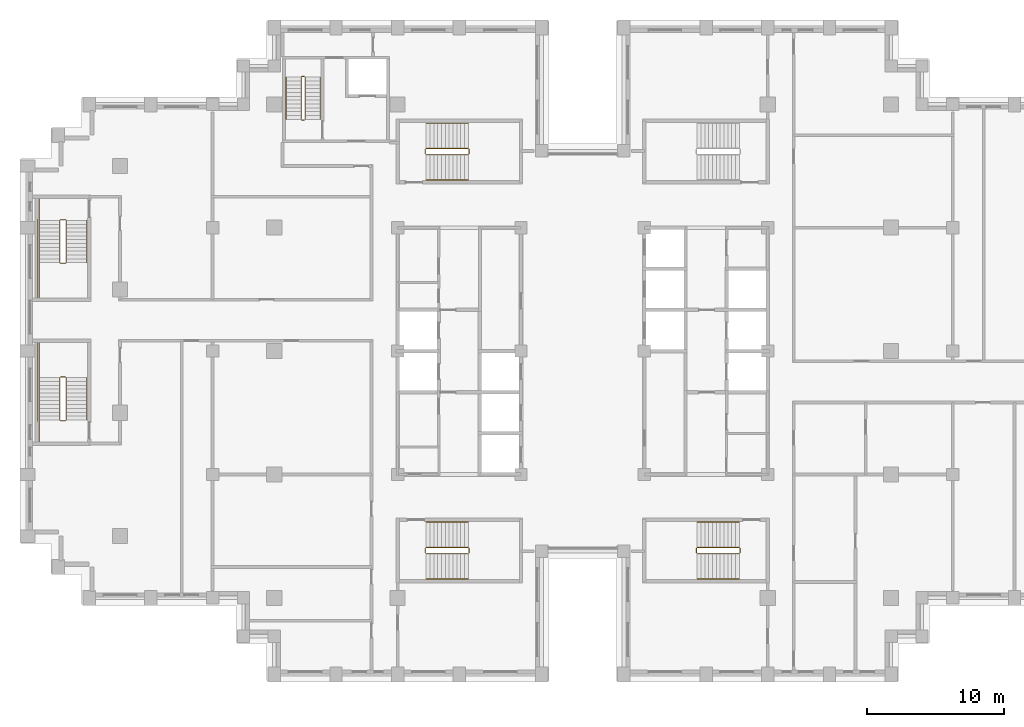
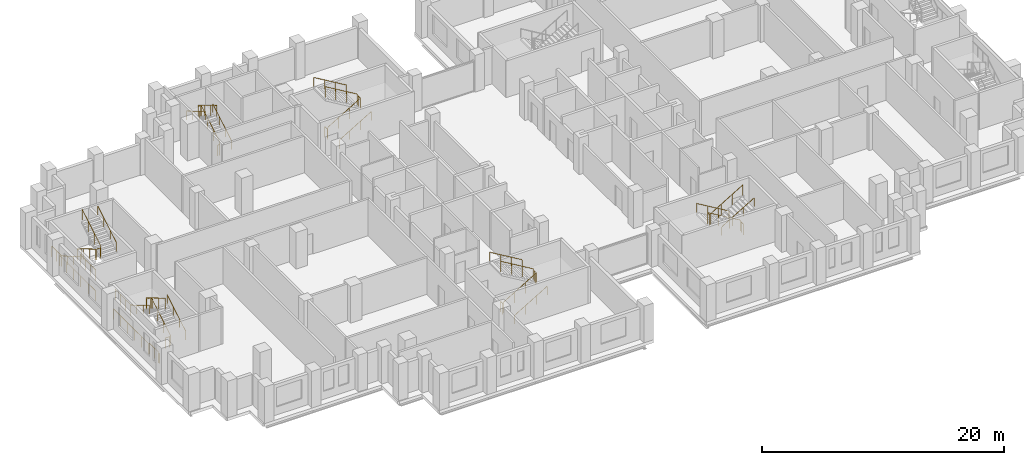
# One storey, part 14 of 15: 6 railings.
"""IFC4 building model written with IfcOpenShell, lengths in metres."""

from ifc_helpers import new_model, si_unit, direction, frame, origin, origin_2d, place, context, subcontext, project, spatial, circle, extrude, material, type_object, element, save


model = new_model("IFC4")

# Units and contexts
model_context = context("Model", 3, precision=1e-05, world=origin(), true_north=direction((0.0, 1.0)))
body_context = subcontext(model_context, "Body", "Model", "MODEL_VIEW")
ifc_project = project(units=[si_unit("LENGTHUNIT", "METRE"), si_unit("AREAUNIT", "SQUARE_METRE"), si_unit("VOLUMEUNIT", "CUBIC_METRE"), si_unit("PLANEANGLEUNIT", "RADIAN"), si_unit("MASSUNIT", "GRAM", prefix="KILO")], contexts=[model_context])

# Site, building, storey
site_placement = place(None, origin())
site = spatial("IfcSite", under=ifc_project, at=site_placement, CompositionType="ELEMENT")
building_placement = place(site_placement, origin())
building = spatial("IfcBuilding", under=site, at=building_placement, Name="Corbelhall Arena Tower", CompositionType="ELEMENT")
storey_placement = place(building_placement, frame((0.0, 0.0, 138.0)))
storey = spatial("IfcBuildingStorey", under=building, at=storey_placement, Name="L26", CompositionType="ELEMENT", Elevation=138.0)

# Railings
ifc_material = material(Name="Steel ASTM A500 Gr C", Category="steel")
railing_type = type_object("IfcRailingType", Name="IN-GD-1100", PredefinedType="GUARDRAIL", material=ifc_material)
railing_1_placement = place(storey_placement, frame((-11.425048828125, 14.324951171875, 0.166748046875)))
element("IfcRailing", 1, at=railing_1_placement, inside=storey, type_object=railing_type, Name="L26 ST1 stair guards and handrails", PredefinedType="GUARDRAIL", context=body_context, shape_type="SweptSolid", body=[
    extrude(circle(Radius=0.02392578125, at=origin_2d()), frame((0.0, 0.0, 1.076171875), z_axis=(0.859308565015, 0.0, 0.511457515432), x_axis=(0.0, 1.0, 0.0)), (0.0, 0.0, 1.0), 3.58447265625),
    extrude(circle(Radius=0.02392578125, at=origin_2d()), frame((3.130126953125, 0.050048828125, 2.9091796875), z_axis=(0.0, 1.0, 0.0), x_axis=(-1.0, 0.0, 0.0)), (0.0, 0.0, 1.0), 0.35009765625),
    extrude(circle(Radius=0.02392578125, at=origin_2d()), frame((3.080078125, 0.449951171875, 3.076171875), z_axis=(-0.859308565015, 0.0, 0.511457515432), x_axis=(0.0, -1.0, 0.0)), (0.0, 0.0, 1.0), 3.58447265625),
    extrude(circle(Radius=0.02392578125, at=origin_2d()), frame((-0.050048828125, 0.050048828125, 0.9091796875), z_axis=(0.0, 1.0, 0.0), x_axis=(-1.0, 0.0, 0.0)), (0.0, 0.0, 1.0), 0.35009765625),
    extrude(circle(Radius=0.02392578125, at=origin_2d()), frame((0.0, -1.849853515625, 0.8759765625), z_axis=(0.859308565015, 0.0, 0.511457515432), x_axis=(0.0, 1.0, 0.0)), (0.0, 0.0, 1.0), 3.58447265625),
    extrude(circle(Radius=0.02392578125, at=origin_2d()), frame((3.080078125, 2.300048828125, 2.8759765625), z_axis=(-0.859308565015, 0.0, 0.511457515432), x_axis=(0.0, -1.0, 0.0)), (0.0, 0.0, 1.0), 3.58447265625),
    extrude(circle(Radius=0.02099609375, at=origin_2d()), origin(), (0.0, 0.0, 1.0), 1.052001953125),
    extrude(circle(Radius=0.02099609375, at=origin_2d()), frame((1.026611328125, 0.0, 0.611083984375)), (0.0, 0.0, 1.0), 1.052001953125),
    extrude(circle(Radius=0.02099609375, at=origin_2d()), frame((2.053466796875, 0.0, 1.22216796875)), (0.0, 0.0, 1.0), 1.052001953125),
    extrude(circle(Radius=0.02099609375, at=origin_2d()), frame((3.080078125, 0.0, 1.833251953125)), (0.0, 0.0, 1.0), 1.052001953125),
    extrude(circle(Radius=0.02099609375, at=origin_2d()), frame((3.130126953125, 0.050048828125, 1.833251953125)), (0.0, 0.0, 1.0), 1.052001953125),
    extrude(circle(Radius=0.02099609375, at=origin_2d()), frame((3.130126953125, 0.400146484375, 1.833251953125)), (0.0, 0.0, 1.0), 1.052001953125),
    extrude(circle(Radius=0.02099609375, at=origin_2d()), frame((3.080078125, 0.449951171875, 2.0)), (0.0, 0.0, 1.0), 1.052001953125),
    extrude(circle(Radius=0.02099609375, at=origin_2d()), frame((2.053466796875, 0.449951171875, 2.611083984375)), (0.0, 0.0, 1.0), 1.052001953125),
    extrude(circle(Radius=0.02099609375, at=origin_2d()), frame((1.026611328125, 0.449951171875, 3.22216796875)), (0.0, 0.0, 1.0), 1.052001953125),
    extrude(circle(Radius=0.02099609375, at=origin_2d()), frame((0.0, 0.449951171875, 3.833251953125)), (0.0, 0.0, 1.0), 1.052001953125),
    extrude(circle(Radius=0.02099609375, at=origin_2d()), frame((-0.050048828125, 0.050048828125, -0.166748046875)), (0.0, 0.0, 1.0), 1.052001953125),
    extrude(circle(Radius=0.02099609375, at=origin_2d()), frame((-0.050048828125, 0.400146484375, -0.166748046875)), (0.0, 0.0, 1.0), 1.052001953125),
    extrude(circle(Radius=0.02099609375, at=origin_2d()), frame((0.0, -1.849853515625, 0.0)), (0.0, 0.0, 1.0), 0.851806640625),
    extrude(circle(Radius=0.02099609375, at=origin_2d()), frame((1.026611328125, -1.849853515625, 0.611083984375)), (0.0, 0.0, 1.0), 0.851806640625),
    extrude(circle(Radius=0.02099609375, at=origin_2d()), frame((2.053466796875, -1.849853515625, 1.22216796875)), (0.0, 0.0, 1.0), 0.851806640625),
    extrude(circle(Radius=0.02099609375, at=origin_2d()), frame((3.080078125, -1.849853515625, 1.833251953125)), (0.0, 0.0, 1.0), 0.851806640625),
    extrude(circle(Radius=0.02099609375, at=origin_2d()), frame((3.080078125, 2.300048828125, 2.0)), (0.0, 0.0, 1.0), 0.851806640625),
    extrude(circle(Radius=0.02099609375, at=origin_2d()), frame((2.053466796875, 2.300048828125, 2.611083984375)), (0.0, 0.0, 1.0), 0.851806640625),
    extrude(circle(Radius=0.02099609375, at=origin_2d()), frame((1.026611328125, 2.300048828125, 3.22216796875)), (0.0, 0.0, 1.0), 0.851806640625),
    extrude(circle(Radius=0.02099609375, at=origin_2d()), frame((0.0, 2.300048828125, 3.833251953125)), (0.0, 0.0, 1.0), 0.851806640625),
])
railing_2_placement = place(storey_placement, frame((-11.425048828125, -14.77490234375, 0.166748046875)))
element("IfcRailing", 2, at=railing_2_placement, inside=storey, type_object=railing_type, Name="L26 ST2 stair guards and handrails", PredefinedType="GUARDRAIL", context=body_context, shape_type="SweptSolid", body=[
    extrude(circle(Radius=0.02392578125, at=origin_2d()), frame((0.0, 0.0, 1.076171875), z_axis=(0.859308565015, 0.0, 0.511457515432), x_axis=(0.0, 1.0, 0.0)), (0.0, 0.0, 1.0), 3.58447265625),
    extrude(circle(Radius=0.02392578125, at=origin_2d()), frame((3.130126953125, 0.0498046875, 2.9091796875), z_axis=(0.0, 1.0, 0.0), x_axis=(-1.0, 0.0, 0.0)), (0.0, 0.0, 1.0), 0.35009765625),
    extrude(circle(Radius=0.02392578125, at=origin_2d()), frame((3.080078125, 0.449951171875, 3.076171875), z_axis=(-0.859308565015, 0.0, 0.511457515432), x_axis=(0.0, -1.0, 0.0)), (0.0, 0.0, 1.0), 3.58447265625),
    extrude(circle(Radius=0.02392578125, at=origin_2d()), frame((-0.050048828125, 0.0498046875, 0.9091796875), z_axis=(0.0, 1.0, 0.0), x_axis=(-1.0, 0.0, 0.0)), (0.0, 0.0, 1.0), 0.35009765625),
    extrude(circle(Radius=0.02392578125, at=origin_2d()), frame((0.0, -1.85009765625, 0.8759765625), z_axis=(0.859308565015, 0.0, 0.511457515432), x_axis=(0.0, 1.0, 0.0)), (0.0, 0.0, 1.0), 3.58447265625),
    extrude(circle(Radius=0.02392578125, at=origin_2d()), frame((3.080078125, 2.2998046875, 2.8759765625), z_axis=(-0.859308565015, 0.0, 0.511457515432), x_axis=(0.0, -1.0, 0.0)), (0.0, 0.0, 1.0), 3.58447265625),
    extrude(circle(Radius=0.02099609375, at=origin_2d()), origin(), (0.0, 0.0, 1.0), 1.052001953125),
    extrude(circle(Radius=0.02099609375, at=origin_2d()), frame((1.026611328125, 0.0, 0.611083984375)), (0.0, 0.0, 1.0), 1.052001953125),
    extrude(circle(Radius=0.02099609375, at=origin_2d()), frame((2.053466796875, 0.0, 1.22216796875)), (0.0, 0.0, 1.0), 1.052001953125),
    extrude(circle(Radius=0.02099609375, at=origin_2d()), frame((3.080078125, 0.0, 1.833251953125)), (0.0, 0.0, 1.0), 1.052001953125),
    extrude(circle(Radius=0.02099609375, at=origin_2d()), frame((3.130126953125, 0.0498046875, 1.833251953125)), (0.0, 0.0, 1.0), 1.052001953125),
    extrude(circle(Radius=0.02099609375, at=origin_2d()), frame((3.130126953125, 0.39990234375, 1.833251953125)), (0.0, 0.0, 1.0), 1.052001953125),
    extrude(circle(Radius=0.02099609375, at=origin_2d()), frame((3.080078125, 0.449951171875, 2.0)), (0.0, 0.0, 1.0), 1.052001953125),
    extrude(circle(Radius=0.02099609375, at=origin_2d()), frame((2.053466796875, 0.449951171875, 2.611083984375)), (0.0, 0.0, 1.0), 1.052001953125),
    extrude(circle(Radius=0.02099609375, at=origin_2d()), frame((1.026611328125, 0.449951171875, 3.22216796875)), (0.0, 0.0, 1.0), 1.052001953125),
    extrude(circle(Radius=0.02099609375, at=origin_2d()), frame((0.0, 0.449951171875, 3.833251953125)), (0.0, 0.0, 1.0), 1.052001953125),
    extrude(circle(Radius=0.02099609375, at=origin_2d()), frame((-0.050048828125, 0.0498046875, -0.166748046875)), (0.0, 0.0, 1.0), 1.052001953125),
    extrude(circle(Radius=0.02099609375, at=origin_2d()), frame((-0.050048828125, 0.39990234375, -0.166748046875)), (0.0, 0.0, 1.0), 1.052001953125),
    extrude(circle(Radius=0.02099609375, at=origin_2d()), frame((0.0, -1.85009765625, 0.0)), (0.0, 0.0, 1.0), 0.851806640625),
    extrude(circle(Radius=0.02099609375, at=origin_2d()), frame((1.026611328125, -1.85009765625, 0.611083984375)), (0.0, 0.0, 1.0), 0.851806640625),
    extrude(circle(Radius=0.02099609375, at=origin_2d()), frame((2.053466796875, -1.85009765625, 1.22216796875)), (0.0, 0.0, 1.0), 0.851806640625),
    extrude(circle(Radius=0.02099609375, at=origin_2d()), frame((3.080078125, -1.85009765625, 1.833251953125)), (0.0, 0.0, 1.0), 0.851806640625),
    extrude(circle(Radius=0.02099609375, at=origin_2d()), frame((3.080078125, 2.2998046875, 2.0)), (0.0, 0.0, 1.0), 0.851806640625),
    extrude(circle(Radius=0.02099609375, at=origin_2d()), frame((2.053466796875, 2.2998046875, 2.611083984375)), (0.0, 0.0, 1.0), 0.851806640625),
    extrude(circle(Radius=0.02099609375, at=origin_2d()), frame((1.026611328125, 2.2998046875, 3.22216796875)), (0.0, 0.0, 1.0), 0.851806640625),
    extrude(circle(Radius=0.02099609375, at=origin_2d()), frame((0.0, 2.2998046875, 3.833251953125)), (0.0, 0.0, 1.0), 0.851806640625),
])
railing_3_placement = place(storey_placement, frame((11.425048828125, -14.324951171875, 0.166748046875)))
element("IfcRailing", 3, at=railing_3_placement, inside=storey, type_object=railing_type, Name="L26 ST4 stair guards and handrails", PredefinedType="GUARDRAIL", context=body_context, shape_type="SweptSolid", body=[
    extrude(circle(Radius=0.02392578125, at=origin_2d()), frame((0.0, 0.0, 1.076171875), z_axis=(-0.859308565015, 0.0, 0.511457515432), x_axis=(0.0, -1.0, 0.0)), (0.0, 0.0, 1.0), 3.58447265625),
    extrude(circle(Radius=0.02392578125, at=origin_2d()), frame((-3.130126953125, -0.050048828125, 2.9091796875), z_axis=(0.0, -1.0, 0.0), x_axis=(1.0, 0.0, 0.0)), (0.0, 0.0, 1.0), 0.35009765625),
    extrude(circle(Radius=0.02392578125, at=origin_2d()), frame((-3.080078125, -0.449951171875, 3.076171875), z_axis=(0.859308565015, 0.0, 0.511457515432), x_axis=(0.0, 1.0, 0.0)), (0.0, 0.0, 1.0), 3.58447265625),
    extrude(circle(Radius=0.02392578125, at=origin_2d()), frame((0.050048828125, -0.050048828125, 0.9091796875), z_axis=(0.0, -1.0, 0.0), x_axis=(1.0, 0.0, 0.0)), (0.0, 0.0, 1.0), 0.35009765625),
    extrude(circle(Radius=0.02392578125, at=origin_2d()), frame((0.0, 1.849853515625, 0.8759765625), z_axis=(-0.859308565015, 0.0, 0.511457515432), x_axis=(0.0, -1.0, 0.0)), (0.0, 0.0, 1.0), 3.58447265625),
    extrude(circle(Radius=0.02392578125, at=origin_2d()), frame((-3.080078125, -2.300048828125, 2.8759765625), z_axis=(0.859308565015, 0.0, 0.511457515432), x_axis=(0.0, 1.0, 0.0)), (0.0, 0.0, 1.0), 3.58447265625),
    extrude(circle(Radius=0.02099609375, at=origin_2d()), origin(), (0.0, 0.0, 1.0), 1.052001953125),
    extrude(circle(Radius=0.02099609375, at=origin_2d()), frame((-1.026611328125, 0.0, 0.611083984375)), (0.0, 0.0, 1.0), 1.052001953125),
    extrude(circle(Radius=0.02099609375, at=origin_2d()), frame((-2.053466796875, 0.0, 1.22216796875)), (0.0, 0.0, 1.0), 1.052001953125),
    extrude(circle(Radius=0.02099609375, at=origin_2d()), frame((-3.080078125, 0.0, 1.833251953125)), (0.0, 0.0, 1.0), 1.052001953125),
    extrude(circle(Radius=0.02099609375, at=origin_2d()), frame((-3.130126953125, -0.050048828125, 1.833251953125)), (0.0, 0.0, 1.0), 1.052001953125),
    extrude(circle(Radius=0.02099609375, at=origin_2d()), frame((-3.130126953125, -0.400146484375, 1.833251953125)), (0.0, 0.0, 1.0), 1.052001953125),
    extrude(circle(Radius=0.02099609375, at=origin_2d()), frame((-3.080078125, -0.449951171875, 2.0)), (0.0, 0.0, 1.0), 1.052001953125),
    extrude(circle(Radius=0.02099609375, at=origin_2d()), frame((-2.053466796875, -0.449951171875, 2.611083984375)), (0.0, 0.0, 1.0), 1.052001953125),
    extrude(circle(Radius=0.02099609375, at=origin_2d()), frame((-1.026611328125, -0.449951171875, 3.22216796875)), (0.0, 0.0, 1.0), 1.052001953125),
    extrude(circle(Radius=0.02099609375, at=origin_2d()), frame((0.0, -0.449951171875, 3.833251953125)), (0.0, 0.0, 1.0), 1.052001953125),
    extrude(circle(Radius=0.02099609375, at=origin_2d()), frame((0.050048828125, -0.050048828125, -0.166748046875)), (0.0, 0.0, 1.0), 1.052001953125),
    extrude(circle(Radius=0.02099609375, at=origin_2d()), frame((0.050048828125, -0.400146484375, -0.166748046875)), (0.0, 0.0, 1.0), 1.052001953125),
    extrude(circle(Radius=0.02099609375, at=origin_2d()), frame((0.0, 1.849853515625, 0.0)), (0.0, 0.0, 1.0), 0.851806640625),
    extrude(circle(Radius=0.02099609375, at=origin_2d()), frame((-1.026611328125, 1.849853515625, 0.611083984375)), (0.0, 0.0, 1.0), 0.851806640625),
    extrude(circle(Radius=0.02099609375, at=origin_2d()), frame((-2.053466796875, 1.849853515625, 1.22216796875)), (0.0, 0.0, 1.0), 0.851806640625),
    extrude(circle(Radius=0.02099609375, at=origin_2d()), frame((-3.080078125, 1.849853515625, 1.833251953125)), (0.0, 0.0, 1.0), 0.851806640625),
    extrude(circle(Radius=0.02099609375, at=origin_2d()), frame((-3.080078125, -2.300048828125, 2.0)), (0.0, 0.0, 1.0), 0.851806640625),
    extrude(circle(Radius=0.02099609375, at=origin_2d()), frame((-2.053466796875, -2.300048828125, 2.611083984375)), (0.0, 0.0, 1.0), 0.851806640625),
    extrude(circle(Radius=0.02099609375, at=origin_2d()), frame((-1.026611328125, -2.300048828125, 3.22216796875)), (0.0, 0.0, 1.0), 0.851806640625),
    extrude(circle(Radius=0.02099609375, at=origin_2d()), frame((0.0, -2.300048828125, 3.833251953125)), (0.0, 0.0, 1.0), 0.851806640625),
])
railing_4_placement = place(storey_placement, frame((-38.14990234375, 9.52490234375, 0.166748046875)))
element("IfcRailing", 4, at=railing_4_placement, inside=storey, type_object=railing_type, Name="L26 SC1 stair guards and handrails", PredefinedType="GUARDRAIL", context=body_context, shape_type="SweptSolid", body=[
    extrude(circle(Radius=0.02392578125, at=origin_2d()), frame((0.0, 0.0, 1.076171875), z_axis=(0.0, -0.859290745958, 0.51148745235), x_axis=(1.0, 0.0, 0.0)), (0.0, 0.0, 1.0), 3.584228515625),
    extrude(circle(Radius=0.02392578125, at=origin_2d()), frame((0.0498046875, -3.1298828125, 2.9091796875), z_axis=(1.0, 0.0, 0.0), x_axis=(0.0, 1.0, 0.0)), (0.0, 0.0, 1.0), 0.375),
    extrude(circle(Radius=0.02392578125, at=origin_2d()), frame((-1.5, -3.079833984375, 2.9091796875), z_axis=(0.0, -1.0, 0.0), x_axis=(1.0, 0.0, 0.0)), (0.0, 0.0, 1.0), 2.570068359375),
    extrude(circle(Radius=0.02392578125, at=origin_2d()), frame((0.474853515625, -3.079833984375, 3.076171875), z_axis=(0.0, 0.859290745958, 0.51148745235), x_axis=(-1.0, 0.0, 0.0)), (0.0, 0.0, 1.0), 3.584228515625),
    extrude(circle(Radius=0.02392578125, at=origin_2d()), frame((0.0498046875, 0.050048828125, 0.9091796875), z_axis=(1.0, 0.0, 0.0), x_axis=(0.0, 1.0, 0.0)), (0.0, 0.0, 1.0), 0.375),
    extrude(circle(Radius=0.02392578125, at=origin_2d()), frame((-1.5, 1.60009765625, 0.9091796875), z_axis=(0.0, -1.0, 0.0), x_axis=(1.0, 0.0, 0.0)), (0.0, 0.0, 1.0), 1.60009765625),
    extrude(circle(Radius=0.02392578125, at=origin_2d()), frame((-1.60009765625, 0.10009765625, 0.9091796875), z_axis=(0.0, -1.0, 0.0), x_axis=(1.0, 0.0, 0.0)), (0.0, 0.0, 1.0), 5.85009765625),
    extrude(circle(Radius=0.02392578125, at=origin_2d()), frame((-1.5, 0.0, 0.8759765625), z_axis=(0.0, -0.859290745958, 0.51148745235), x_axis=(1.0, 0.0, 0.0)), (0.0, 0.0, 1.0), 3.584228515625),
    extrude(circle(Radius=0.02392578125, at=origin_2d()), frame((1.974853515625, -3.079833984375, 2.8759765625), z_axis=(0.0, 0.859290745958, 0.51148745235), x_axis=(-1.0, 0.0, 0.0)), (0.0, 0.0, 1.0), 3.584228515625),
    extrude(circle(Radius=0.02099609375, at=origin_2d()), origin(), (0.0, 0.0, 1.0), 1.052001953125),
    extrude(circle(Radius=0.02099609375, at=origin_2d()), frame((0.0, -1.026611328125, 0.611083984375)), (0.0, 0.0, 1.0), 1.052001953125),
    extrude(circle(Radius=0.02099609375, at=origin_2d()), frame((0.0, -2.05322265625, 1.22216796875)), (0.0, 0.0, 1.0), 1.052001953125),
    extrude(circle(Radius=0.02099609375, at=origin_2d()), frame((0.0, -3.079833984375, 1.833251953125)), (0.0, 0.0, 1.0), 1.052001953125),
    extrude(circle(Radius=0.02099609375, at=origin_2d()), frame((0.0498046875, -3.1298828125, 1.833251953125)), (0.0, 0.0, 1.0), 1.052001953125),
    extrude(circle(Radius=0.02099609375, at=origin_2d()), frame((0.4248046875, -3.1298828125, 1.833251953125)), (0.0, 0.0, 1.0), 1.052001953125),
    extrude(circle(Radius=0.02099609375, at=origin_2d()), frame((-1.5, -3.079833984375, 1.833251953125)), (0.0, 0.0, 1.0), 1.052001953125),
    extrude(circle(Radius=0.02099609375, at=origin_2d()), frame((-1.5, -3.9365234375, 1.833251953125)), (0.0, 0.0, 1.0), 1.052001953125),
    extrude(circle(Radius=0.02099609375, at=origin_2d()), frame((-1.5, -4.793212890625, 1.833251953125)), (0.0, 0.0, 1.0), 1.052001953125),
    extrude(circle(Radius=0.02099609375, at=origin_2d()), frame((-1.5, -5.64990234375, 1.833251953125)), (0.0, 0.0, 1.0), 1.052001953125),
    extrude(circle(Radius=0.02099609375, at=origin_2d()), frame((0.474853515625, -3.079833984375, 2.0)), (0.0, 0.0, 1.0), 1.052001953125),
    extrude(circle(Radius=0.02099609375, at=origin_2d()), frame((0.474853515625, -2.05322265625, 2.611083984375)), (0.0, 0.0, 1.0), 1.052001953125),
    extrude(circle(Radius=0.02099609375, at=origin_2d()), frame((0.474853515625, -1.026611328125, 3.22216796875)), (0.0, 0.0, 1.0), 1.052001953125),
    extrude(circle(Radius=0.02099609375, at=origin_2d()), frame((0.474853515625, 0.0, 3.833251953125)), (0.0, 0.0, 1.0), 1.052001953125),
    extrude(circle(Radius=0.02099609375, at=origin_2d()), frame((0.0498046875, 0.050048828125, -0.166748046875)), (0.0, 0.0, 1.0), 1.052001953125),
    extrude(circle(Radius=0.02099609375, at=origin_2d()), frame((0.4248046875, 0.050048828125, -0.166748046875)), (0.0, 0.0, 1.0), 1.052001953125),
    extrude(circle(Radius=0.02099609375, at=origin_2d()), frame((-1.5, 1.60009765625, -0.166748046875)), (0.0, 0.0, 1.0), 1.052001953125),
    extrude(circle(Radius=0.02099609375, at=origin_2d()), frame((-1.5, 0.800048828125, -0.166748046875)), (0.0, 0.0, 1.0), 1.052001953125),
    extrude(circle(Radius=0.02099609375, at=origin_2d()), frame((-1.5, 0.0, -0.166748046875)), (0.0, 0.0, 1.0), 1.052001953125),
    extrude(circle(Radius=0.02099609375, at=origin_2d()), frame((-1.60009765625, 0.10009765625, -0.166748046875)), (0.0, 0.0, 1.0), 1.052001953125),
    extrude(circle(Radius=0.02099609375, at=origin_2d()), frame((-1.60009765625, -1.06982421875, -0.166748046875)), (0.0, 0.0, 1.0), 1.052001953125),
    extrude(circle(Radius=0.02099609375, at=origin_2d()), frame((-1.60009765625, -2.239990234375, -0.166748046875)), (0.0, 0.0, 1.0), 1.052001953125),
    extrude(circle(Radius=0.02099609375, at=origin_2d()), frame((-1.60009765625, -3.409912109375, -0.166748046875)), (0.0, 0.0, 1.0), 1.052001953125),
    extrude(circle(Radius=0.02099609375, at=origin_2d()), frame((-1.60009765625, -4.580078125, -0.166748046875)), (0.0, 0.0, 1.0), 1.052001953125),
    extrude(circle(Radius=0.02099609375, at=origin_2d()), frame((-1.60009765625, -5.75, -0.166748046875)), (0.0, 0.0, 1.0), 1.052001953125),
    extrude(circle(Radius=0.02099609375, at=origin_2d()), frame((-1.5, 0.0, 0.0)), (0.0, 0.0, 1.0), 0.851806640625),
    extrude(circle(Radius=0.02099609375, at=origin_2d()), frame((-1.5, -1.026611328125, 0.611083984375)), (0.0, 0.0, 1.0), 0.851806640625),
    extrude(circle(Radius=0.02099609375, at=origin_2d()), frame((-1.5, -2.05322265625, 1.22216796875)), (0.0, 0.0, 1.0), 0.851806640625),
    extrude(circle(Radius=0.02099609375, at=origin_2d()), frame((1.974853515625, -3.079833984375, 2.0)), (0.0, 0.0, 1.0), 0.851806640625),
    extrude(circle(Radius=0.02099609375, at=origin_2d()), frame((1.974853515625, -2.05322265625, 2.611083984375)), (0.0, 0.0, 1.0), 0.851806640625),
    extrude(circle(Radius=0.02099609375, at=origin_2d()), frame((1.974853515625, -1.026611328125, 3.22216796875)), (0.0, 0.0, 1.0), 0.851806640625),
    extrude(circle(Radius=0.02099609375, at=origin_2d()), frame((1.974853515625, 0.0, 3.833251953125)), (0.0, 0.0, 1.0), 0.851806640625),
])
railing_5_placement = place(storey_placement, frame((-37.675048828125, -5.02490234375, 0.166748046875)))
element("IfcRailing", 5, at=railing_5_placement, inside=storey, type_object=railing_type, Name="L26 SC2 stair guards and handrails", PredefinedType="GUARDRAIL", context=body_context, shape_type="SweptSolid", body=[
    extrude(circle(Radius=0.02392578125, at=origin_2d()), frame((0.0, 0.0, 1.076171875), z_axis=(0.0, 0.859290745958, 0.51148745235), x_axis=(-1.0, 0.0, 0.0)), (0.0, 0.0, 1.0), 3.584228515625),
    extrude(circle(Radius=0.02392578125, at=origin_2d()), frame((-0.050048828125, 3.1298828125, 2.9091796875), z_axis=(-1.0, 0.0, 0.0), x_axis=(0.0, -1.0, 0.0)), (0.0, 0.0, 1.0), 0.375),
    extrude(circle(Radius=0.02392578125, at=origin_2d()), frame((-1.974853515625, 3.079833984375, 2.9091796875), z_axis=(0.0, 1.0, 0.0), x_axis=(-1.0, 0.0, 0.0)), (0.0, 0.0, 1.0), 2.570068359375),
    extrude(circle(Radius=0.02392578125, at=origin_2d()), frame((-0.474853515625, 3.079833984375, 3.076171875), z_axis=(0.0, -0.859290745958, 0.51148745235), x_axis=(1.0, 0.0, 0.0)), (0.0, 0.0, 1.0), 3.584228515625),
    extrude(circle(Radius=0.02392578125, at=origin_2d()), frame((-0.050048828125, -0.050048828125, 0.9091796875), z_axis=(-1.0, 0.0, 0.0), x_axis=(0.0, -1.0, 0.0)), (0.0, 0.0, 1.0), 0.375),
    extrude(circle(Radius=0.02392578125, at=origin_2d()), frame((-1.974853515625, -1.60009765625, 0.9091796875), z_axis=(0.0, 1.0, 0.0), x_axis=(-1.0, 0.0, 0.0)), (0.0, 0.0, 1.0), 1.60009765625),
    extrude(circle(Radius=0.02392578125, at=origin_2d()), frame((-2.074951171875, -0.10009765625, 0.9091796875), z_axis=(0.0, 1.0, 0.0), x_axis=(-1.0, 0.0, 0.0)), (0.0, 0.0, 1.0), 5.85009765625),
    extrude(circle(Radius=0.02392578125, at=origin_2d()), frame((1.5, 0.0, 0.8759765625), z_axis=(0.0, 0.859290745958, 0.51148745235), x_axis=(-1.0, 0.0, 0.0)), (0.0, 0.0, 1.0), 3.584228515625),
    extrude(circle(Radius=0.02392578125, at=origin_2d()), frame((-1.974853515625, 3.079833984375, 2.8759765625), z_axis=(0.0, -0.859290745958, 0.51148745235), x_axis=(1.0, 0.0, 0.0)), (0.0, 0.0, 1.0), 3.584228515625),
    extrude(circle(Radius=0.02099609375, at=origin_2d()), origin(), (0.0, 0.0, 1.0), 1.052001953125),
    extrude(circle(Radius=0.02099609375, at=origin_2d()), frame((0.0, 1.026611328125, 0.611083984375)), (0.0, 0.0, 1.0), 1.052001953125),
    extrude(circle(Radius=0.02099609375, at=origin_2d()), frame((0.0, 2.05322265625, 1.22216796875)), (0.0, 0.0, 1.0), 1.052001953125),
    extrude(circle(Radius=0.02099609375, at=origin_2d()), frame((0.0, 3.079833984375, 1.833251953125)), (0.0, 0.0, 1.0), 1.052001953125),
    extrude(circle(Radius=0.02099609375, at=origin_2d()), frame((-0.050048828125, 3.1298828125, 1.833251953125)), (0.0, 0.0, 1.0), 1.052001953125),
    extrude(circle(Radius=0.02099609375, at=origin_2d()), frame((-0.425048828125, 3.1298828125, 1.833251953125)), (0.0, 0.0, 1.0), 1.052001953125),
    extrude(circle(Radius=0.02099609375, at=origin_2d()), frame((-1.974853515625, 3.079833984375, 1.833251953125)), (0.0, 0.0, 1.0), 1.052001953125),
    extrude(circle(Radius=0.02099609375, at=origin_2d()), frame((-1.974853515625, 3.9365234375, 1.833251953125)), (0.0, 0.0, 1.0), 1.052001953125),
    extrude(circle(Radius=0.02099609375, at=origin_2d()), frame((-1.974853515625, 4.793212890625, 1.833251953125)), (0.0, 0.0, 1.0), 1.052001953125),
    extrude(circle(Radius=0.02099609375, at=origin_2d()), frame((-1.974853515625, 5.64990234375, 1.833251953125)), (0.0, 0.0, 1.0), 1.052001953125),
    extrude(circle(Radius=0.02099609375, at=origin_2d()), frame((-0.474853515625, 3.079833984375, 2.0)), (0.0, 0.0, 1.0), 1.052001953125),
    extrude(circle(Radius=0.02099609375, at=origin_2d()), frame((-0.474853515625, 2.05322265625, 2.611083984375)), (0.0, 0.0, 1.0), 1.052001953125),
    extrude(circle(Radius=0.02099609375, at=origin_2d()), frame((-0.474853515625, 1.026611328125, 3.22216796875)), (0.0, 0.0, 1.0), 1.052001953125),
    extrude(circle(Radius=0.02099609375, at=origin_2d()), frame((-0.474853515625, 0.0, 3.833251953125)), (0.0, 0.0, 1.0), 1.052001953125),
    extrude(circle(Radius=0.02099609375, at=origin_2d()), frame((-0.050048828125, -0.050048828125, -0.166748046875)), (0.0, 0.0, 1.0), 1.052001953125),
    extrude(circle(Radius=0.02099609375, at=origin_2d()), frame((-0.425048828125, -0.050048828125, -0.166748046875)), (0.0, 0.0, 1.0), 1.052001953125),
    extrude(circle(Radius=0.02099609375, at=origin_2d()), frame((-1.974853515625, -1.60009765625, -0.166748046875)), (0.0, 0.0, 1.0), 1.052001953125),
    extrude(circle(Radius=0.02099609375, at=origin_2d()), frame((-1.974853515625, -0.800048828125, -0.166748046875)), (0.0, 0.0, 1.0), 1.052001953125),
    extrude(circle(Radius=0.02099609375, at=origin_2d()), frame((-1.974853515625, 0.0, -0.166748046875)), (0.0, 0.0, 1.0), 1.052001953125),
    extrude(circle(Radius=0.02099609375, at=origin_2d()), frame((-2.074951171875, -0.10009765625, -0.166748046875)), (0.0, 0.0, 1.0), 1.052001953125),
    extrude(circle(Radius=0.02099609375, at=origin_2d()), frame((-2.074951171875, 1.06982421875, -0.166748046875)), (0.0, 0.0, 1.0), 1.052001953125),
    extrude(circle(Radius=0.02099609375, at=origin_2d()), frame((-2.074951171875, 2.239990234375, -0.166748046875)), (0.0, 0.0, 1.0), 1.052001953125),
    extrude(circle(Radius=0.02099609375, at=origin_2d()), frame((-2.074951171875, 3.409912109375, -0.166748046875)), (0.0, 0.0, 1.0), 1.052001953125),
    extrude(circle(Radius=0.02099609375, at=origin_2d()), frame((-2.074951171875, 4.580078125, -0.166748046875)), (0.0, 0.0, 1.0), 1.052001953125),
    extrude(circle(Radius=0.02099609375, at=origin_2d()), frame((-2.074951171875, 5.75, -0.166748046875)), (0.0, 0.0, 1.0), 1.052001953125),
    extrude(circle(Radius=0.02099609375, at=origin_2d()), frame((1.5, 0.0, 0.0)), (0.0, 0.0, 1.0), 0.851806640625),
    extrude(circle(Radius=0.02099609375, at=origin_2d()), frame((1.5, 1.026611328125, 0.611083984375)), (0.0, 0.0, 1.0), 0.851806640625),
    extrude(circle(Radius=0.02099609375, at=origin_2d()), frame((1.5, 2.05322265625, 1.22216796875)), (0.0, 0.0, 1.0), 0.851806640625),
    extrude(circle(Radius=0.02099609375, at=origin_2d()), frame((1.5, 3.079833984375, 1.833251953125)), (0.0, 0.0, 1.0), 0.851806640625),
    extrude(circle(Radius=0.02099609375, at=origin_2d()), frame((-1.974853515625, 3.079833984375, 2.0)), (0.0, 0.0, 1.0), 0.851806640625),
    extrude(circle(Radius=0.02099609375, at=origin_2d()), frame((-1.974853515625, 2.05322265625, 2.611083984375)), (0.0, 0.0, 1.0), 0.851806640625),
    extrude(circle(Radius=0.02099609375, at=origin_2d()), frame((-1.974853515625, 1.026611328125, 3.22216796875)), (0.0, 0.0, 1.0), 0.851806640625),
    extrude(circle(Radius=0.02099609375, at=origin_2d()), frame((-1.974853515625, 0.0, 3.833251953125)), (0.0, 0.0, 1.0), 0.851806640625),
])
railing_6_placement = place(storey_placement, frame((-20.2451171875, 16.89990234375, 0.166748046875)))
element("IfcRailing", 6, at=railing_6_placement, inside=storey, type_object=railing_type, Name="L26 ST5 stair guards and handrails", PredefinedType="GUARDRAIL", context=body_context, shape_type="SweptSolid", body=[
    extrude(circle(Radius=0.02392578125, at=origin_2d()), frame((0.0, 0.0, 1.076171875), z_axis=(0.0, 0.859308565015, 0.511457515432), x_axis=(-1.0, 0.0, 0.0)), (0.0, 0.0, 1.0), 3.58447265625),
    extrude(circle(Radius=0.02392578125, at=origin_2d()), frame((-0.0498046875, 3.130126953125, 2.9091796875), z_axis=(-1.0, 0.0, 0.0), x_axis=(0.0, -1.0, 0.0)), (0.0, 0.0, 1.0), 0.2001953125),
    extrude(circle(Radius=0.02392578125, at=origin_2d()), frame((-0.2998046875, 3.080078125, 3.076171875), z_axis=(0.0, -0.859308565015, 0.511457515432), x_axis=(1.0, 0.0, 0.0)), (0.0, 0.0, 1.0), 3.58447265625),
    extrude(circle(Radius=0.02392578125, at=origin_2d()), frame((-0.0498046875, -0.0498046875, 0.9091796875), z_axis=(-1.0, 0.0, 0.0), x_axis=(0.0, -1.0, 0.0)), (0.0, 0.0, 1.0), 0.2001953125),
    extrude(circle(Radius=0.02392578125, at=origin_2d()), frame((1.10009765625, 0.0, 0.8759765625), z_axis=(0.0, 0.859308565015, 0.511457515432), x_axis=(-1.0, 0.0, 0.0)), (0.0, 0.0, 1.0), 3.58447265625),
    extrude(circle(Radius=0.02392578125, at=origin_2d()), frame((-1.39990234375, 3.080078125, 2.8759765625), z_axis=(0.0, -0.859308565015, 0.511457515432), x_axis=(1.0, 0.0, 0.0)), (0.0, 0.0, 1.0), 3.58447265625),
    extrude(circle(Radius=0.02099609375, at=origin_2d()), origin(), (0.0, 0.0, 1.0), 1.052001953125),
    extrude(circle(Radius=0.02099609375, at=origin_2d()), frame((0.0, 1.026611328125, 0.611083984375)), (0.0, 0.0, 1.0), 1.052001953125),
    extrude(circle(Radius=0.02099609375, at=origin_2d()), frame((0.0, 2.053466796875, 1.22216796875)), (0.0, 0.0, 1.0), 1.052001953125),
    extrude(circle(Radius=0.02099609375, at=origin_2d()), frame((0.0, 3.080078125, 1.833251953125)), (0.0, 0.0, 1.0), 1.052001953125),
    extrude(circle(Radius=0.02099609375, at=origin_2d()), frame((-0.0498046875, 3.130126953125, 1.833251953125)), (0.0, 0.0, 1.0), 1.052001953125),
    extrude(circle(Radius=0.02099609375, at=origin_2d()), frame((-0.25, 3.130126953125, 1.833251953125)), (0.0, 0.0, 1.0), 1.052001953125),
    extrude(circle(Radius=0.02099609375, at=origin_2d()), frame((-0.2998046875, 3.080078125, 2.0)), (0.0, 0.0, 1.0), 1.052001953125),
    extrude(circle(Radius=0.02099609375, at=origin_2d()), frame((-0.2998046875, 2.053466796875, 2.611083984375)), (0.0, 0.0, 1.0), 1.052001953125),
    extrude(circle(Radius=0.02099609375, at=origin_2d()), frame((-0.2998046875, 1.026611328125, 3.22216796875)), (0.0, 0.0, 1.0), 1.052001953125),
    extrude(circle(Radius=0.02099609375, at=origin_2d()), frame((-0.2998046875, 0.0, 3.833251953125)), (0.0, 0.0, 1.0), 1.052001953125),
    extrude(circle(Radius=0.02099609375, at=origin_2d()), frame((-0.0498046875, -0.0498046875, -0.166748046875)), (0.0, 0.0, 1.0), 1.052001953125),
    extrude(circle(Radius=0.02099609375, at=origin_2d()), frame((-0.25, -0.0498046875, -0.166748046875)), (0.0, 0.0, 1.0), 1.052001953125),
    extrude(circle(Radius=0.02099609375, at=origin_2d()), frame((1.10009765625, 0.0, 0.0)), (0.0, 0.0, 1.0), 0.851806640625),
    extrude(circle(Radius=0.02099609375, at=origin_2d()), frame((1.10009765625, 1.026611328125, 0.611083984375)), (0.0, 0.0, 1.0), 0.851806640625),
    extrude(circle(Radius=0.02099609375, at=origin_2d()), frame((1.10009765625, 2.053466796875, 1.22216796875)), (0.0, 0.0, 1.0), 0.851806640625),
    extrude(circle(Radius=0.02099609375, at=origin_2d()), frame((1.10009765625, 3.080078125, 1.833251953125)), (0.0, 0.0, 1.0), 0.851806640625),
    extrude(circle(Radius=0.02099609375, at=origin_2d()), frame((-1.39990234375, 3.080078125, 2.0)), (0.0, 0.0, 1.0), 0.851806640625),
    extrude(circle(Radius=0.02099609375, at=origin_2d()), frame((-1.39990234375, 2.053466796875, 2.611083984375)), (0.0, 0.0, 1.0), 0.851806640625),
    extrude(circle(Radius=0.02099609375, at=origin_2d()), frame((-1.39990234375, 1.026611328125, 3.22216796875)), (0.0, 0.0, 1.0), 0.851806640625),
    extrude(circle(Radius=0.02099609375, at=origin_2d()), frame((-1.39990234375, 0.0, 3.833251953125)), (0.0, 0.0, 1.0), 0.851806640625),
])

save(model, "model.ifc")
